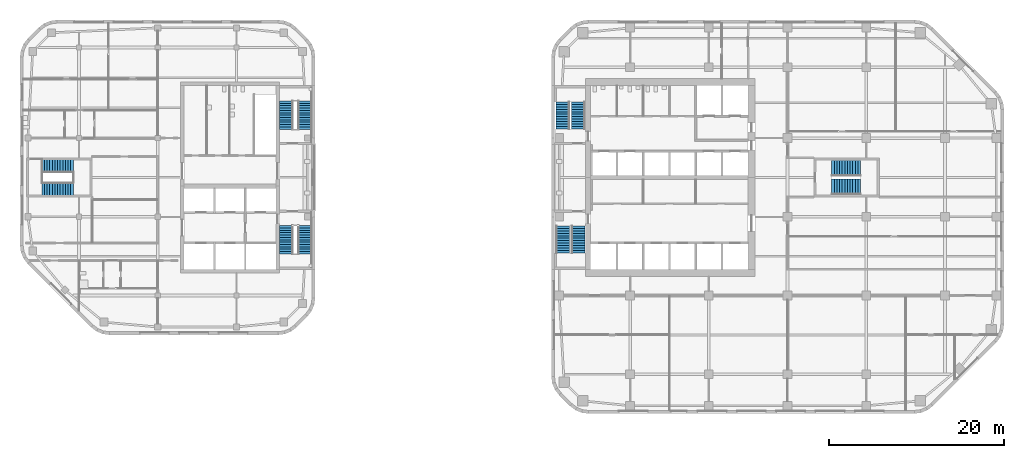
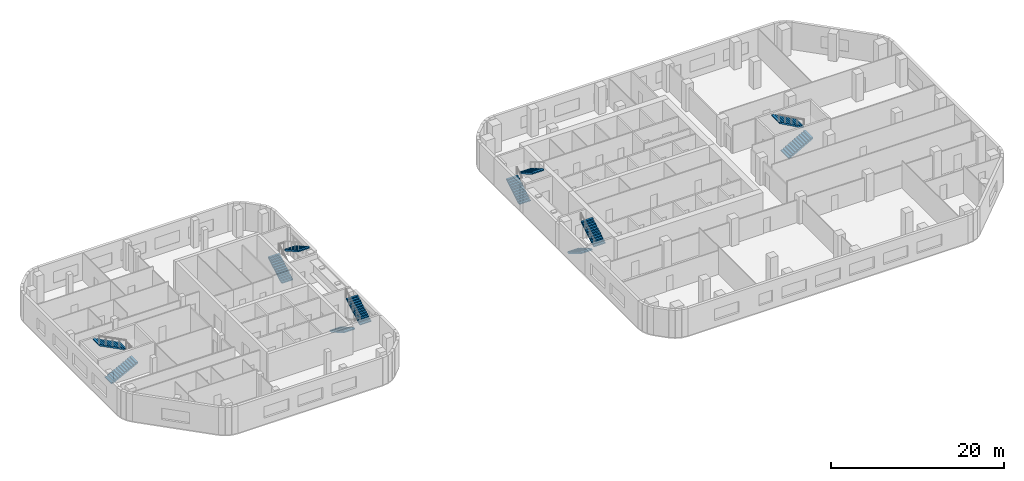
# One storey, part 11 of 14: 12 stair flights, 6 elements without a shape of their own.
"""IFC4 building model written with IfcOpenShell, lengths in metres."""

from ifc_helpers import new_model, si_unit, direction, frame, origin, place, context, subcontext, project, spatial, polyline, outline, extrude, material, type_object, element, aggregate, save


model = new_model("IFC4")

# Units and contexts
model_context = context("Model", 3, precision=1e-05, world=origin(), true_north=direction((0.0, 1.0)))
body_context = subcontext(model_context, "Body", "Model", "MODEL_VIEW")
ifc_project = project(units=[si_unit("LENGTHUNIT", "METRE"), si_unit("AREAUNIT", "SQUARE_METRE"), si_unit("VOLUMEUNIT", "CUBIC_METRE"), si_unit("PLANEANGLEUNIT", "RADIAN"), si_unit("MASSUNIT", "GRAM", prefix="KILO")], contexts=[model_context])

# Site, building, storey
site_placement = place(None, origin())
site = spatial("IfcSite", under=ifc_project, at=site_placement, CompositionType="ELEMENT")
building_placement = place(site_placement, origin())
building = spatial("IfcBuilding", under=site, at=building_placement, Name="Cinnabar Reach Civic Tower", CompositionType="ELEMENT")
storey_placement = place(building_placement, frame((0.0, 0.0, 136.0)))
storey = spatial("IfcBuildingStorey", under=building, at=storey_placement, Name="L32", CompositionType="ELEMENT", Elevation=136.0)

# Stair, stair flights
ifc_material_1 = material(Name="Concrete C40/50", Category="concrete")
stair_type_1 = type_object("IfcStairType", Name="T1 Exit stair, half-turn", PredefinedType="HALF_TURN_STAIR", material=ifc_material_1)
stair_1_placement = place(storey_placement, origin())
stair_1 = element("IfcStair", 1, at=stair_1_placement, inside=storey, type_object=stair_type_1, Name="Stair T1-S1", PredefinedType="HALF_TURN_STAIR")
stair_flight_type_1 = type_object("IfcStairFlightType", Name="T1 Stair flight, concrete", PredefinedType="STRAIGHT", material=ifc_material_1)
stair_flight_1_placement = place(storey_placement, frame((1.3125, 25.95, 0.0), z_axis=(0.0, 0.0, 1.0), x_axis=(0.0, -1.0, 0.0)))
stair_flight_1 = element("IfcStairFlight", 2, at=stair_flight_1_placement, type_object=stair_flight_type_1, Name="T1-S1 flight 1", NumberOfRisers=12, NumberOfTreads=11, PredefinedType="STRAIGHT", RiserHeight=0.166666667, TreadLength=0.28, context=body_context, shape_type="SweptSolid", body=[
    extrude(outline(polyline([(0.0, 0.0), (0.0, 0.1667), (0.28, 0.1667), (0.28, 0.3333), (0.56, 0.3333), (0.56, 0.5), (0.84, 0.5), (0.84, 0.6667), (1.12, 0.6667), (1.12, 0.8333), (1.4, 0.8333), (1.4, 1.0), (1.68, 1.0), (1.68, 1.1667), (1.96, 1.1667), (1.96, 1.3333), (2.24, 1.3333), (2.24, 1.5), (2.52, 1.5), (2.52, 1.6667), (2.8, 1.6667), (2.8, 1.8333), (3.08, 1.8333), (3.08, 2.0), (3.08, 1.6588), (0.2933, 0.0), (0.0, 0.0)])), frame((0.0, 0.7625, 0.0), z_axis=(0.0, -1.0, 0.0), x_axis=(1.0, 0.0, 0.0)), (0.0, 0.0, 1.0), 1.525),
])
stair_flight_2_placement = place(storey_placement, frame((3.0875, 22.87, 2.0), z_axis=(0.0, 0.0, 1.0), x_axis=(0.0, 1.0, 0.0)))
stair_flight_2 = element("IfcStairFlight", 3, at=stair_flight_2_placement, type_object=stair_flight_type_1, Name="T1-S1 flight 2", NumberOfRisers=12, NumberOfTreads=11, PredefinedType="STRAIGHT", RiserHeight=0.166666667, TreadLength=0.28, context=body_context, shape_type="SweptSolid", body=[
    extrude(outline(polyline([(0.0, 0.0), (0.0, 0.1667), (0.28, 0.1667), (0.28, 0.3333), (0.56, 0.3333), (0.56, 0.5), (0.84, 0.5), (0.84, 0.6667), (1.12, 0.6667), (1.12, 0.8333), (1.4, 0.8333), (1.4, 1.0), (1.68, 1.0), (1.68, 1.1667), (1.96, 1.1667), (1.96, 1.3333), (2.24, 1.3333), (2.24, 1.5), (2.52, 1.5), (2.52, 1.6667), (2.8, 1.6667), (2.8, 1.8333), (3.08, 1.8333), (3.08, 2.0), (3.08, 1.6588), (0.2933, 0.0), (0.0, 0.0)])), frame((0.0, 0.7625, 0.0), z_axis=(0.0, -1.0, 0.0), x_axis=(1.0, 0.0, 0.0)), (0.0, 0.0, 1.0), 1.525),
])
aggregate(stair_1, [stair_flight_1, stair_flight_2])

stair_2_placement = place(storey_placement, origin())
stair_2 = element("IfcStair", 4, at=stair_2_placement, inside=storey, type_object=stair_type_1, Name="Stair T1-S2", PredefinedType="HALF_TURN_STAIR")
stair_flight_3_placement = place(storey_placement, frame((1.3125, 37.05, 0.0), z_axis=(0.0, 0.0, 1.0), x_axis=(0.0, 1.0, 0.0)))
stair_flight_3 = element("IfcStairFlight", 5, at=stair_flight_3_placement, type_object=stair_flight_type_1, Name="T1-S2 flight 1", NumberOfRisers=12, NumberOfTreads=11, PredefinedType="STRAIGHT", RiserHeight=0.166666667, TreadLength=0.28, context=body_context, shape_type="SweptSolid", body=[
    extrude(outline(polyline([(0.0, 0.0), (0.0, 0.1667), (0.28, 0.1667), (0.28, 0.3333), (0.56, 0.3333), (0.56, 0.5), (0.84, 0.5), (0.84, 0.6667), (1.12, 0.6667), (1.12, 0.8333), (1.4, 0.8333), (1.4, 1.0), (1.68, 1.0), (1.68, 1.1667), (1.96, 1.1667), (1.96, 1.3333), (2.24, 1.3333), (2.24, 1.5), (2.52, 1.5), (2.52, 1.6667), (2.8, 1.6667), (2.8, 1.8333), (3.08, 1.8333), (3.08, 2.0), (3.08, 1.6588), (0.2933, 0.0), (0.0, 0.0)])), frame((0.0, 0.7625, 0.0), z_axis=(0.0, -1.0, 0.0), x_axis=(1.0, 0.0, 0.0)), (0.0, 0.0, 1.0), 1.525),
])
stair_flight_4_placement = place(storey_placement, frame((3.0875, 40.13, 2.0), z_axis=(0.0, 0.0, 1.0), x_axis=(0.0, -1.0, 0.0)))
stair_flight_4 = element("IfcStairFlight", 6, at=stair_flight_4_placement, type_object=stair_flight_type_1, Name="T1-S2 flight 2", NumberOfRisers=12, NumberOfTreads=11, PredefinedType="STRAIGHT", RiserHeight=0.166666667, TreadLength=0.28, context=body_context, shape_type="SweptSolid", body=[
    extrude(outline(polyline([(0.0, 0.0), (0.0, 0.1667), (0.28, 0.1667), (0.28, 0.3333), (0.56, 0.3333), (0.56, 0.5), (0.84, 0.5), (0.84, 0.6667), (1.12, 0.6667), (1.12, 0.8333), (1.4, 0.8333), (1.4, 1.0), (1.68, 1.0), (1.68, 1.1667), (1.96, 1.1667), (1.96, 1.3333), (2.24, 1.3333), (2.24, 1.5), (2.52, 1.5), (2.52, 1.6667), (2.8, 1.6667), (2.8, 1.8333), (3.08, 1.8333), (3.08, 2.0), (3.08, 1.6588), (0.2933, 0.0), (0.0, 0.0)])), frame((0.0, 0.7625, 0.0), z_axis=(0.0, -1.0, 0.0), x_axis=(1.0, 0.0, 0.0)), (0.0, 0.0, 1.0), 1.525),
])
aggregate(stair_2, [stair_flight_3, stair_flight_4])

stair_3_placement = place(storey_placement, origin())
stair_3 = element("IfcStair", 7, at=stair_3_placement, inside=storey, type_object=stair_type_1, Name="Stair T1-S3", PredefinedType="HALF_TURN_STAIR")
stair_flight_5_placement = place(storey_placement, frame((32.05, 30.45, 0.0), z_axis=(0.0, 0.0, 1.0), x_axis=(1.0, 0.0, 0.0)))
stair_flight_5 = element("IfcStairFlight", 8, at=stair_flight_5_placement, type_object=stair_flight_type_1, Name="T1-S3 flight 1", NumberOfRisers=12, NumberOfTreads=11, PredefinedType="STRAIGHT", RiserHeight=0.166666667, TreadLength=0.3, context=body_context, shape_type="SweptSolid", body=[
    extrude(outline(polyline([(0.0, 0.0), (0.0, 0.1667), (0.3, 0.1667), (0.3, 0.3333), (0.6, 0.3333), (0.6, 0.5), (0.9, 0.5), (0.9, 0.6667), (1.2, 0.6667), (1.2, 0.8333), (1.5, 0.8333), (1.5, 1.0), (1.8, 1.0), (1.8, 1.1667), (2.1, 1.1667), (2.1, 1.3333), (2.4, 1.3333), (2.4, 1.5), (2.7, 1.5), (2.7, 1.6667), (3.0, 1.6667), (3.0, 1.8333), (3.3, 1.8333), (3.3, 2.0), (3.3, 1.6617), (0.3089, 0.0), (0.0, 0.0)])), frame((0.0, 0.9, 0.0), z_axis=(0.0, -1.0, 0.0), x_axis=(1.0, 0.0, 0.0)), (0.0, 0.0, 1.0), 1.8),
])
stair_flight_6_placement = place(storey_placement, frame((35.35, 32.55, 2.0), z_axis=(0.0, 0.0, 1.0), x_axis=(-1.0, 0.0, 0.0)))
stair_flight_6 = element("IfcStairFlight", 9, at=stair_flight_6_placement, type_object=stair_flight_type_1, Name="T1-S3 flight 2", NumberOfRisers=12, NumberOfTreads=11, PredefinedType="STRAIGHT", RiserHeight=0.166666667, TreadLength=0.3, context=body_context, shape_type="SweptSolid", body=[
    extrude(outline(polyline([(0.0, 0.0), (0.0, 0.1667), (0.3, 0.1667), (0.3, 0.3333), (0.6, 0.3333), (0.6, 0.5), (0.9, 0.5), (0.9, 0.6667), (1.2, 0.6667), (1.2, 0.8333), (1.5, 0.8333), (1.5, 1.0), (1.8, 1.0), (1.8, 1.1667), (2.1, 1.1667), (2.1, 1.3333), (2.4, 1.3333), (2.4, 1.5), (2.7, 1.5), (2.7, 1.6667), (3.0, 1.6667), (3.0, 1.8333), (3.3, 1.8333), (3.3, 2.0), (3.3, 1.6617), (0.3089, 0.0), (0.0, 0.0)])), frame((0.0, 0.9, 0.0), z_axis=(0.0, -1.0, 0.0), x_axis=(1.0, 0.0, 0.0)), (0.0, 0.0, 1.0), 1.8),
])
aggregate(stair_3, [stair_flight_5, stair_flight_6])

ifc_material_2 = material(Name="Concrete C40", Category="concrete")
stair_type_2 = type_object("IfcStairType", Name="T2 Exit stair 1500", PredefinedType="HALF_TURN_STAIR", material=ifc_material_2)
stair_4_placement = place(storey_placement, origin())
stair_4 = element("IfcStair", 10, at=stair_4_placement, inside=storey, type_object=stair_type_2, Name="Exit stair 1", PredefinedType="HALF_TURN_STAIR")
stair_flight_type_2 = type_object("IfcStairFlightType", Name="T2 Stair flight 1500", PredefinedType="STRAIGHT", material=ifc_material_2)
stair_flight_7_placement = place(storey_placement, frame((-30.35, 26.0, 0.0), z_axis=(0.0, 0.0, 1.0), x_axis=(0.0, -1.0, 0.0)))
stair_flight_7 = element("IfcStairFlight", 11, at=stair_flight_7_placement, type_object=stair_flight_type_2, Name="ST1 flight 1", NumberOfRisers=13, NumberOfTreads=12, PredefinedType="STRAIGHT", RiserHeight=0.153846154, TreadLength=0.270833333, context=body_context, shape_type="SweptSolid", body=[
    extrude(outline(polyline([(0.0, 0.0), (0.0, 0.1538), (0.2708, 0.1538), (0.2708, 0.3077), (0.5417, 0.3077), (0.5417, 0.4615), (0.8125, 0.4615), (0.8125, 0.6154), (1.0833, 0.6154), (1.0833, 0.7692), (1.3542, 0.7692), (1.3542, 0.9231), (1.625, 0.9231), (1.625, 1.0769), (1.8958, 1.0769), (1.8958, 1.2308), (2.1667, 1.2308), (2.1667, 1.3846), (2.4375, 1.3846), (2.4375, 1.5385), (2.7083, 1.5385), (2.7083, 1.6923), (2.9792, 1.6923), (2.9792, 1.8462), (3.25, 1.8462), (3.25, 2.0), (3.25, 1.6736), (0.3037, 0.0), (0.0, 0.0)])), frame((0.0, 0.75, 0.0), z_axis=(0.0, -1.0, 0.0), x_axis=(1.0, 0.0, 0.0)), (0.0, 0.0, 1.0), 1.5),
])
stair_flight_8_placement = place(storey_placement, frame((-28.15, 22.75, 2.0), z_axis=(0.0, 0.0, 1.0), x_axis=(0.0, 1.0, 0.0)))
stair_flight_8 = element("IfcStairFlight", 12, at=stair_flight_8_placement, type_object=stair_flight_type_2, Name="ST1 flight 2", NumberOfRisers=13, NumberOfTreads=12, PredefinedType="STRAIGHT", RiserHeight=0.153846154, TreadLength=0.270833333, context=body_context, shape_type="SweptSolid", body=[
    extrude(outline(polyline([(0.0, 0.0), (0.0, 0.1538), (0.2708, 0.1538), (0.2708, 0.3077), (0.5417, 0.3077), (0.5417, 0.4615), (0.8125, 0.4615), (0.8125, 0.6154), (1.0833, 0.6154), (1.0833, 0.7692), (1.3542, 0.7692), (1.3542, 0.9231), (1.625, 0.9231), (1.625, 1.0769), (1.8958, 1.0769), (1.8958, 1.2308), (2.1667, 1.2308), (2.1667, 1.3846), (2.4375, 1.3846), (2.4375, 1.5385), (2.7083, 1.5385), (2.7083, 1.6923), (2.9792, 1.6923), (2.9792, 1.8462), (3.25, 1.8462), (3.25, 2.0), (3.25, 1.6736), (0.3037, 0.0), (0.0, 0.0)])), frame((0.0, 0.75, 0.0), z_axis=(0.0, -1.0, 0.0), x_axis=(1.0, 0.0, 0.0)), (0.0, 0.0, 1.0), 1.5),
])
aggregate(stair_4, [stair_flight_7, stair_flight_8])

stair_5_placement = place(storey_placement, origin())
stair_5 = element("IfcStair", 13, at=stair_5_placement, inside=storey, type_object=stair_type_2, Name="Exit stair 2", PredefinedType="HALF_TURN_STAIR")
stair_flight_9_placement = place(storey_placement, frame((-30.35, 37.0, 0.0), z_axis=(0.0, 0.0, 1.0), x_axis=(0.0, 1.0, 0.0)))
stair_flight_9 = element("IfcStairFlight", 14, at=stair_flight_9_placement, type_object=stair_flight_type_2, Name="ST2 flight 1", NumberOfRisers=13, NumberOfTreads=12, PredefinedType="STRAIGHT", RiserHeight=0.153846154, TreadLength=0.270833333, context=body_context, shape_type="SweptSolid", body=[
    extrude(outline(polyline([(0.0, 0.0), (0.0, 0.1538), (0.2708, 0.1538), (0.2708, 0.3077), (0.5417, 0.3077), (0.5417, 0.4615), (0.8125, 0.4615), (0.8125, 0.6154), (1.0833, 0.6154), (1.0833, 0.7692), (1.3542, 0.7692), (1.3542, 0.9231), (1.625, 0.9231), (1.625, 1.0769), (1.8958, 1.0769), (1.8958, 1.2308), (2.1667, 1.2308), (2.1667, 1.3846), (2.4375, 1.3846), (2.4375, 1.5385), (2.7083, 1.5385), (2.7083, 1.6923), (2.9792, 1.6923), (2.9792, 1.8462), (3.25, 1.8462), (3.25, 2.0), (3.25, 1.6736), (0.3037, 0.0), (0.0, 0.0)])), frame((0.0, 0.75, 0.0), z_axis=(0.0, -1.0, 0.0), x_axis=(1.0, 0.0, 0.0)), (0.0, 0.0, 1.0), 1.5),
])
stair_flight_10_placement = place(storey_placement, frame((-28.15, 40.25, 2.0), z_axis=(0.0, 0.0, 1.0), x_axis=(0.0, -1.0, 0.0)))
stair_flight_10 = element("IfcStairFlight", 15, at=stair_flight_10_placement, type_object=stair_flight_type_2, Name="ST2 flight 2", NumberOfRisers=13, NumberOfTreads=12, PredefinedType="STRAIGHT", RiserHeight=0.153846154, TreadLength=0.270833333, context=body_context, shape_type="SweptSolid", body=[
    extrude(outline(polyline([(0.0, 0.0), (0.0, 0.1538), (0.2708, 0.1538), (0.2708, 0.3077), (0.5417, 0.3077), (0.5417, 0.4615), (0.8125, 0.4615), (0.8125, 0.6154), (1.0833, 0.6154), (1.0833, 0.7692), (1.3542, 0.7692), (1.3542, 0.9231), (1.625, 0.9231), (1.625, 1.0769), (1.8958, 1.0769), (1.8958, 1.2308), (2.1667, 1.2308), (2.1667, 1.3846), (2.4375, 1.3846), (2.4375, 1.5385), (2.7083, 1.5385), (2.7083, 1.6923), (2.9792, 1.6923), (2.9792, 1.8462), (3.25, 1.8462), (3.25, 2.0), (3.25, 1.6736), (0.3037, 0.0), (0.0, 0.0)])), frame((0.0, 0.75, 0.0), z_axis=(0.0, -1.0, 0.0), x_axis=(1.0, 0.0, 0.0)), (0.0, 0.0, 1.0), 1.5),
])
aggregate(stair_5, [stair_flight_9, stair_flight_10])

stair_6_placement = place(storey_placement, origin())
stair_6 = element("IfcStair", 16, at=stair_6_placement, inside=storey, type_object=stair_type_2, Name="Exit stair 3", PredefinedType="HALF_TURN_STAIR")
stair_flight_11_placement = place(storey_placement, frame((-58.25, 30.125, 0.0), z_axis=(0.0, 0.0, 1.0), x_axis=(1.0, 0.0, 0.0)))
stair_flight_11 = element("IfcStairFlight", 17, at=stair_flight_11_placement, type_object=stair_flight_type_2, Name="ST3 flight 1", NumberOfRisers=13, NumberOfTreads=12, PredefinedType="STRAIGHT", RiserHeight=0.153846154, TreadLength=0.3, context=body_context, shape_type="SweptSolid", body=[
    extrude(outline(polyline([(0.0, 0.0), (0.0, 0.1538), (0.3, 0.1538), (0.3, 0.3077), (0.6, 0.3077), (0.6, 0.4615), (0.9, 0.4615), (0.9, 0.6154), (1.2, 0.6154), (1.2, 0.7692), (1.5, 0.7692), (1.5, 0.9231), (1.8, 0.9231), (1.8, 1.0769), (2.1, 1.0769), (2.1, 1.2308), (2.4, 1.2308), (2.4, 1.3846), (2.7, 1.3846), (2.7, 1.5385), (3.0, 1.5385), (3.0, 1.6923), (3.3, 1.6923), (3.3, 1.8462), (3.6, 1.8462), (3.6, 2.0), (3.6, 1.6776), (0.3287, 0.0), (0.0, 0.0)])), frame((0.0, 0.75, 0.0), z_axis=(0.0, -1.0, 0.0), x_axis=(1.0, 0.0, 0.0)), (0.0, 0.0, 1.0), 1.5),
])
stair_flight_12_placement = place(storey_placement, frame((-54.65, 32.875, 2.0), z_axis=(0.0, 0.0, 1.0), x_axis=(-1.0, 0.0, 0.0)))
stair_flight_12 = element("IfcStairFlight", 18, at=stair_flight_12_placement, type_object=stair_flight_type_2, Name="ST3 flight 2", NumberOfRisers=13, NumberOfTreads=12, PredefinedType="STRAIGHT", RiserHeight=0.153846154, TreadLength=0.3, context=body_context, shape_type="SweptSolid", body=[
    extrude(outline(polyline([(0.0, 0.0), (0.0, 0.1538), (0.3, 0.1538), (0.3, 0.3077), (0.6, 0.3077), (0.6, 0.4615), (0.9, 0.4615), (0.9, 0.6154), (1.2, 0.6154), (1.2, 0.7692), (1.5, 0.7692), (1.5, 0.9231), (1.8, 0.9231), (1.8, 1.0769), (2.1, 1.0769), (2.1, 1.2308), (2.4, 1.2308), (2.4, 1.3846), (2.7, 1.3846), (2.7, 1.5385), (3.0, 1.5385), (3.0, 1.6923), (3.3, 1.6923), (3.3, 1.8462), (3.6, 1.8462), (3.6, 2.0), (3.6, 1.6776), (0.3287, 0.0), (0.0, 0.0)])), frame((0.0, 0.75, 0.0), z_axis=(0.0, -1.0, 0.0), x_axis=(1.0, 0.0, 0.0)), (0.0, 0.0, 1.0), 1.5),
])
aggregate(stair_6, [stair_flight_11, stair_flight_12])

save(model, "model.ifc")
